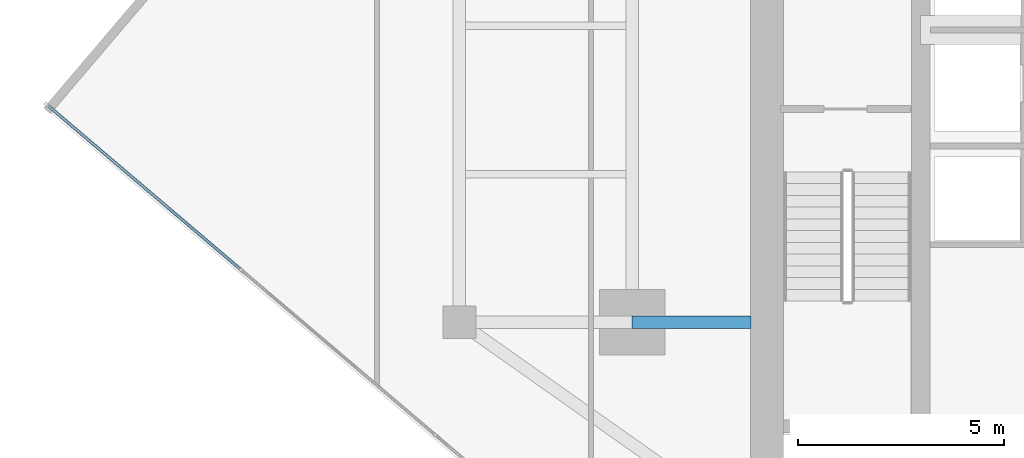
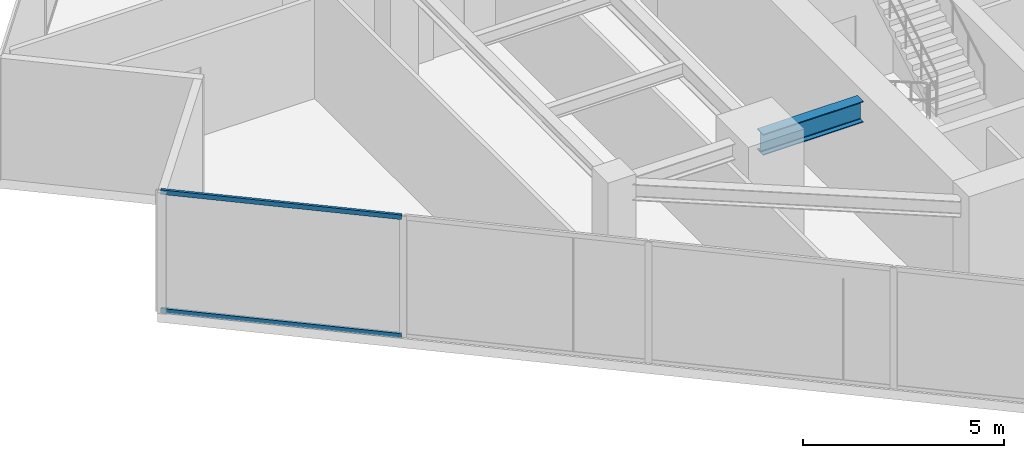
# One storey, part 5 of 25: 2 members, 1 beam, 1 element without a shape of its own.
"""IFC4 building model written with IfcOpenShell, lengths in metres."""

from ifc_helpers import new_model, si_unit, direction, frame, origin, origin_2d, place, context, subcontext, project, spatial, hollow_rectangle, i_section, extrude, source, transform, mapped, material, material_profile, profile_set, type_object, type_shapes, element, aggregate, save


model = new_model("IFC4")

# Units and contexts
model_context = context("Model", 3, precision=1e-05, world=origin(), true_north=direction((0.0, 1.0)))
body_context = subcontext(model_context, "Body", "Model", "MODEL_VIEW")
ifc_project = project(units=[si_unit("LENGTHUNIT", "METRE"), si_unit("AREAUNIT", "SQUARE_METRE"), si_unit("VOLUMEUNIT", "CUBIC_METRE"), si_unit("PLANEANGLEUNIT", "RADIAN"), si_unit("MASSUNIT", "GRAM", prefix="KILO")], contexts=[model_context])

# Site, building, storey
site_placement = place(None, origin())
site = spatial("IfcSite", under=ifc_project, at=site_placement, CompositionType="ELEMENT")
building_placement = place(site_placement, origin())
building = spatial("IfcBuilding", under=site, at=building_placement, Name="Krantzveldt Concourse Tower", CompositionType="ELEMENT")
storey_placement = place(building_placement, frame((0.0, 0.0, 215.199951171875)))
storey = spatial("IfcBuildingStorey", under=building, at=storey_placement, Name="L52", CompositionType="ELEMENT", Elevation=215.199951171875)

# Beam
ifc_material_1 = material(Name="Steel S355JR", Category="steel")
ifc_material_profile_1 = material_profile(ifc_material_1, i_section(OverallWidth=0.300048828125, OverallDepth=0.639892578125, WebThickness=0.013427734375, FlangeThickness=0.02587890625, FilletRadius=0.027099609375, at=origin_2d()), Name="Steel S355JR", Category="steel")
ifc_profile_set_1 = profile_set([ifc_material_profile_1], Name="Steel S355JR - HEA 650")
beam_type = type_object("IfcBeamType", Name="BM-B-HEA650", PredefinedType="BEAM", material=ifc_profile_set_1)
shared_shape_1 = source(origin(), body_context, "Body", "SweptSolid", [
    extrude(i_section(OverallWidth=0.300048828125, OverallDepth=0.639892578125, WebThickness=0.013427734375, FlangeThickness=0.02587890625, FilletRadius=0.027099609375, at=origin_2d()), origin(), (0.0, 0.0, 1.0), 2.880126953125),
])
type_shapes(beam_type, [shared_shape_1])
beam_placement = place(storey_placement, frame((25.199951171875, 15.89990234375, 3.35009765625), z_axis=(1.0, 0.0, 0.0), x_axis=(0.0, 1.0, 0.0)))
element("IfcBeam", 1, at=beam_placement, inside=storey, type_object=beam_type, Name="L52 Tower Girder BG-CW1", PredefinedType="BEAM", context=body_context, shape_type="MappedRepresentation", body=[
    mapped(shared_shape_1, transform((0.0, 0.0, 0.0), x_axis=(1.0, 0.0, 0.0), y_axis=(0.0, 1.0, 0.0), z_axis=(0.0, 0.0, 1.0), scale=1.0)),
])

# Curtain wall, members
ifc_material_2 = material(Name="Anodised aluminium 6063-T6", Category="aluminium")
curtain_wall_type = type_object("IfcCurtainWallType", Name="CW3", PredefinedType="USERDEFINED", material=ifc_material_2)
curtain_wall_placement = place(storey_placement, origin())
curtain_wall = element("IfcCurtainWall", 2, at=curtain_wall_placement, inside=storey, type_object=curtain_wall_type, Name="CW-L52-F04", ObjectType="UNITISED CURTAIN WALL", PredefinedType="USERDEFINED")
ifc_material_profile_2 = material_profile(ifc_material_2, hollow_rectangle(XDim=0.070068359375, YDim=0.139892578125, WallThickness=0.0048828125, at=origin_2d()), Name="Anodised aluminium 6063-T6", Category="aluminium")
ifc_profile_set_2 = profile_set([ifc_material_profile_2], Name="Anodised aluminium 6063-T6 - ALU-TRAN 140x70x5")
member_type = type_object("IfcMemberType", Name="CW-TRN-150", PredefinedType="USERDEFINED", material=ifc_profile_set_2)
shared_shape_2 = source(origin(), body_context, "Body", "SweptSolid", [
    extrude(hollow_rectangle(XDim=0.070068359375, YDim=0.139892578125, WallThickness=0.0048828125, at=origin_2d()), origin(), (0.0, 0.0, 1.0), 6.094970703125),
])
type_shapes(member_type, [shared_shape_2])
member_1_placement = place(storey_placement, frame((11.023681640625, 21.146484375, 0.03515625), z_axis=(0.761823672468, -0.64778444877, 0.0), x_axis=(0.64778444877, 0.761823672468, 0.0)))
member_1 = element("IfcMember", 3, at=member_1_placement, type_object=member_type, Name="CW-Z34 transom 1.1", ObjectType="TRANSOM", PredefinedType="USERDEFINED", context=body_context, shape_type="MappedRepresentation", body=[
    mapped(shared_shape_2, transform((0.0, 0.0, 0.0), x_axis=(1.0, 0.0, 0.0), y_axis=(0.0, 1.0, 0.0), z_axis=(0.0, 0.0, 1.0), scale=1.0)),
])
member_2_placement = place(storey_placement, frame((11.023681640625, 21.146484375, 3.635009765625), z_axis=(0.761823672468, -0.64778444877, 0.0), x_axis=(0.64778444877, 0.761823672468, 0.0)))
member_2 = element("IfcMember", 4, at=member_2_placement, type_object=member_type, Name="CW-Z34 transom 1.2", ObjectType="TRANSOM", PredefinedType="USERDEFINED", context=body_context, shape_type="MappedRepresentation", body=[
    mapped(shared_shape_2, transform((0.0, 0.0, 0.0), x_axis=(1.0, 0.0, 0.0), y_axis=(0.0, 1.0, 0.0), z_axis=(0.0, 0.0, 1.0), scale=1.0)),
])
aggregate(curtain_wall, [member_1, member_2])

save(model, "model.ifc")
